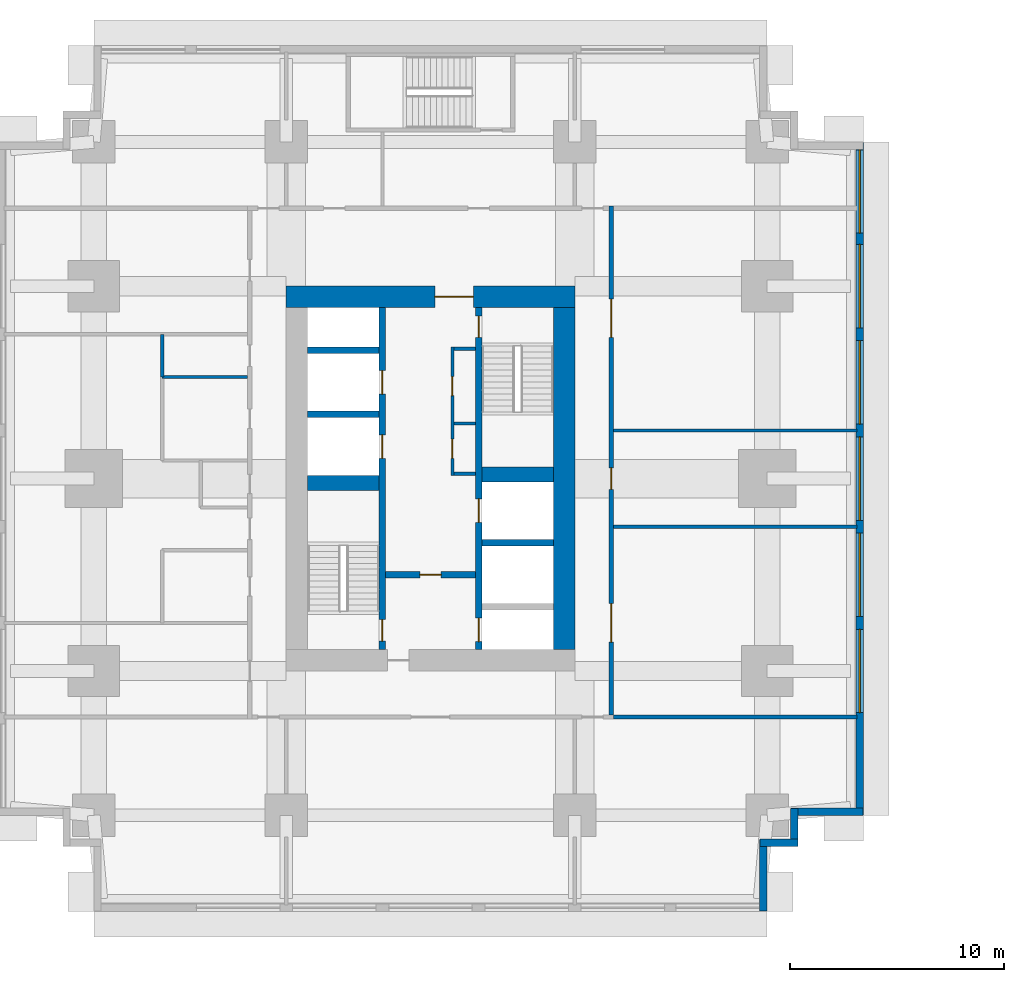
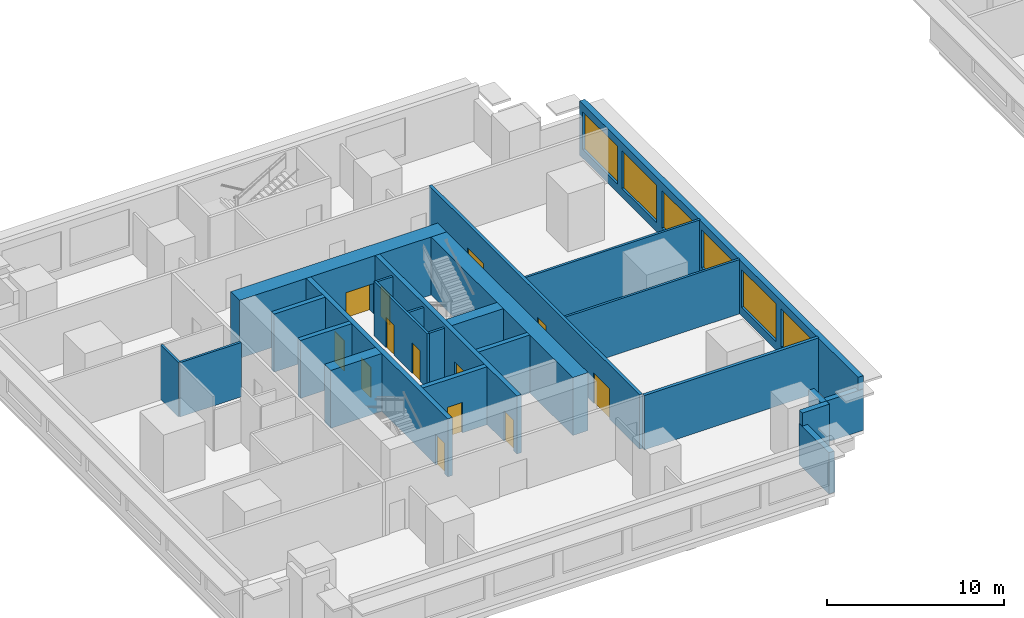
# One storey, part 4 of 11: 25 walls, 13 doors, 6 windows, 19 openings.
"""IFC4 building model written with IfcOpenShell, lengths in metres."""

from ifc_helpers import new_model, si_unit, direction, frame, frame_2d, origin, place, context, subcontext, project, spatial, rectangle, extrude, material, layer, layer_set, type_object, element, fill, save


model = new_model("IFC4")

# Units and contexts
model_context = context("Model", 3, precision=1e-05, world=origin(), true_north=direction((0.0, 1.0)))
body_context = subcontext(model_context, "Body", "Model", "MODEL_VIEW")
ifc_project = project(units=[si_unit("LENGTHUNIT", "METRE"), si_unit("AREAUNIT", "SQUARE_METRE"), si_unit("VOLUMEUNIT", "CUBIC_METRE"), si_unit("PLANEANGLEUNIT", "RADIAN"), si_unit("MASSUNIT", "GRAM", prefix="KILO")], contexts=[model_context])

# Site, building, storey
site_placement = place(None, origin())
site = spatial("IfcSite", under=ifc_project, at=site_placement, CompositionType="ELEMENT")
building_placement = place(site_placement, origin())
building = spatial("IfcBuilding", under=site, at=building_placement, Name="Namib Vertical Campus", CompositionType="ELEMENT")
storey_placement = place(building_placement, frame((0.0, 0.0, 49.0)))
storey = spatial("IfcBuildingStorey", under=building, at=storey_placement, Name="L11", CompositionType="ELEMENT", Elevation=49.0)

# Wall, openings, doors
ifc_material_1 = material(Name="Concrete C60/75", Category="concrete")
ifc_layer_1 = layer(ifc_material_1, 0.300048828125)
ifc_layer_set_1 = layer_set([ifc_layer_1], Name="Concrete C60/75")
wall_type_1 = type_object("IfcWallType", Name="Core inner wall 300", PredefinedType="SHEAR", material=ifc_layer_set_1)
wall_1_placement = place(storey_placement, frame((18.0, 12.25, 0.0), z_axis=(0.0, 0.0, 1.0), x_axis=(0.0, 1.0, 0.0)))
wall_1 = element("IfcWall", 1, at=wall_1_placement, inside=storey, type_object=wall_type_1, Name="Core inner wall A L11 W1", PredefinedType="SHEAR", context=body_context, shape_type="SweptSolid", body=[
    extrude(rectangle(XDim=16.0, YDim=0.300048828125, at=frame_2d((8.0, 0.0))), origin(), (0.0, 0.0, 1.0), 4.0),
])
opening_1_placement = place(wall_1_placement, frame((0.39990234375, 0.0, 0.0)))
opening_1 = element("IfcOpeningElement", 2, at=opening_1_placement, cuts=wall_1, Name="Opening FD1", PredefinedType="OPENING", context=body_context, shape_type="SweptSolid", body=[
    extrude(rectangle(XDim=1.0, YDim=2.10009765625, at=frame_2d((0.5, 1.050048828125))), frame((0.0, 0.159912109375, 0.0), z_axis=(0.0, -1.0, 0.0), x_axis=(1.0, 0.0, 0.0)), (0.0, 0.0, 1.0), 0.320068359375),
])
opening_2_placement = place(wall_1_placement, frame((8.949951171875, 0.0, 0.0)))
opening_2 = element("IfcOpeningElement", 3, at=opening_2_placement, cuts=wall_1, Name="Opening LD1", PredefinedType="OPENING", context=body_context, shape_type="SweptSolid", body=[
    extrude(rectangle(XDim=1.10009765625, YDim=2.10009765625, at=frame_2d((0.550048828125, 1.050048828125))), frame((0.0, 0.159912109375, 0.0), z_axis=(0.0, -1.0, 0.0), x_axis=(1.0, 0.0, 0.0)), (0.0, 0.0, 1.0), 0.320068359375),
])
opening_3_placement = place(wall_1_placement, frame((11.949951171875, 0.0, 0.0)))
opening_3 = element("IfcOpeningElement", 4, at=opening_3_placement, cuts=wall_1, Name="Opening LD1", PredefinedType="OPENING", context=body_context, shape_type="SweptSolid", body=[
    extrude(rectangle(XDim=1.10009765625, YDim=2.10009765625, at=frame_2d((0.550048828125, 1.050048828125))), frame((0.0, 0.159912109375, 0.0), z_axis=(0.0, -1.0, 0.0), x_axis=(1.0, 0.0, 0.0)), (0.0, 0.0, 1.0), 0.320068359375),
])
ifc_material_2 = material(Name="Steel fire door", Category="steel")
door_type_1 = type_object("IfcDoorType", Name="Fire door 1000x2100", OperationType="SINGLE_SWING_RIGHT", PredefinedType="DOOR", material=ifc_material_2)
door_1_placement = place(opening_1_placement, origin())
door_1 = element("IfcDoor", 5, at=door_1_placement, inside=storey, type_object=door_type_1, Name="Stair door FD1 A L11 S1", OperationType="SINGLE_SWING_LEFT", OverallHeight=2.10009765625, OverallWidth=1.0, PredefinedType="DOOR", context=body_context, shape_type="SweptSolid", body=[
    extrude(rectangle(XDim=1.0, YDim=2.10009765625, at=frame_2d((0.5, 1.050048828125))), frame((0.0, 0.02490234375, 0.0), z_axis=(0.0, -1.0, 0.0), x_axis=(1.0, 0.0, 0.0)), (0.0, 0.0, 1.0), 0.050048828125),
])
fill(opening_1, door_1)
ifc_material_3 = material(Name="Stainless steel lift door", Category="steel")
door_type_2 = type_object("IfcDoorType", Name="Lift landing door 1100x2100", OperationType="DOUBLE_DOOR_SLIDING", PredefinedType="DOOR", material=ifc_material_3)
door_2_placement = place(opening_2_placement, origin())
door_2 = element("IfcDoor", 6, at=door_2_placement, inside=storey, type_object=door_type_2, Name="Lift landing door LD1 A-P1 L11", OperationType="DOUBLE_DOOR_SLIDING", OverallHeight=2.10009765625, OverallWidth=1.10009765625, PredefinedType="DOOR", context=body_context, shape_type="SweptSolid", body=[
    extrude(rectangle(XDim=1.10009765625, YDim=2.10009765625, at=frame_2d((0.550048828125, 1.050048828125))), frame((0.0, 0.02490234375, 0.0), z_axis=(0.0, -1.0, 0.0), x_axis=(1.0, 0.0, 0.0)), (0.0, 0.0, 1.0), 0.050048828125),
])
fill(opening_2, door_2)
door_3_placement = place(opening_3_placement, origin())
door_3 = element("IfcDoor", 7, at=door_3_placement, inside=storey, type_object=door_type_2, Name="Lift landing door LD1 A-P2 L11", OperationType="DOUBLE_DOOR_SLIDING", OverallHeight=2.10009765625, OverallWidth=1.10009765625, PredefinedType="DOOR", context=body_context, shape_type="SweptSolid", body=[
    extrude(rectangle(XDim=1.10009765625, YDim=2.10009765625, at=frame_2d((0.550048828125, 1.050048828125))), frame((0.0, 0.02490234375, 0.0), z_axis=(0.0, -1.0, 0.0), x_axis=(1.0, 0.0, 0.0)), (0.0, 0.0, 1.0), 0.050048828125),
])
fill(opening_3, door_3)

wall_2_placement = place(storey_placement, frame((22.5, 12.25, 0.0), z_axis=(0.0, 0.0, 1.0), x_axis=(0.0, 1.0, 0.0)))
wall_2 = element("IfcWall", 8, at=wall_2_placement, inside=storey, type_object=wall_type_1, Name="Core inner wall A L11 W2", PredefinedType="SHEAR", context=body_context, shape_type="SweptSolid", body=[
    extrude(rectangle(XDim=16.0, YDim=0.300048828125, at=frame_2d((8.0, 0.0))), origin(), (0.0, 0.0, 1.0), 4.0),
])
opening_4_placement = place(wall_2_placement, frame((14.60009765625, 0.0, 0.0)))
opening_4 = element("IfcOpeningElement", 9, at=opening_4_placement, cuts=wall_2, Name="Opening FD1", PredefinedType="OPENING", context=body_context, shape_type="SweptSolid", body=[
    extrude(rectangle(XDim=1.0, YDim=2.10009765625, at=frame_2d((0.5, 1.050048828125))), frame((0.0, 0.159912109375, 0.0), z_axis=(0.0, -1.0, 0.0), x_axis=(1.0, 0.0, 0.0)), (0.0, 0.0, 1.0), 0.320068359375),
])
opening_5_placement = place(wall_2_placement, frame((0.375, 0.0, 0.0)))
opening_5 = element("IfcOpeningElement", 10, at=opening_5_placement, cuts=wall_2, Name="Opening LD1", PredefinedType="OPENING", context=body_context, shape_type="SweptSolid", body=[
    extrude(rectangle(XDim=1.10009765625, YDim=2.10009765625, at=frame_2d((0.550048828125, 1.050048828125))), frame((0.0, 0.159912109375, 0.0), z_axis=(0.0, -1.0, 0.0), x_axis=(1.0, 0.0, 0.0)), (0.0, 0.0, 1.0), 0.320068359375),
])
opening_6_placement = place(wall_2_placement, frame((5.949951171875, 0.0, 0.0)))
opening_6 = element("IfcOpeningElement", 11, at=opening_6_placement, cuts=wall_2, Name="Opening LD1", PredefinedType="OPENING", context=body_context, shape_type="SweptSolid", body=[
    extrude(rectangle(XDim=1.10009765625, YDim=2.10009765625, at=frame_2d((0.550048828125, 1.050048828125))), frame((0.0, 0.159912109375, 0.0), z_axis=(0.0, -1.0, 0.0), x_axis=(1.0, 0.0, 0.0)), (0.0, 0.0, 1.0), 0.320068359375),
])
door_4_placement = place(opening_4_placement, frame((1.0, 0.0, 0.0), z_axis=(0.0, 0.0, 1.0), x_axis=(-1.0, 0.0, 0.0)))
door_4 = element("IfcDoor", 12, at=door_4_placement, inside=storey, type_object=door_type_1, Name="Stair door FD1 A L11 S2", OperationType="SINGLE_SWING_LEFT", OverallHeight=2.10009765625, OverallWidth=1.0, PredefinedType="DOOR", context=body_context, shape_type="SweptSolid", body=[
    extrude(rectangle(XDim=1.0, YDim=2.10009765625, at=frame_2d((0.5, 1.050048828125))), frame((0.0, 0.02490234375, 0.0), z_axis=(0.0, -1.0, 0.0), x_axis=(1.0, 0.0, 0.0)), (0.0, 0.0, 1.0), 0.050048828125),
])
fill(opening_4, door_4)
door_5_placement = place(opening_5_placement, origin())
door_5 = element("IfcDoor", 13, at=door_5_placement, inside=storey, type_object=door_type_2, Name="Lift landing door LD1 A-FL1 L11", OperationType="DOUBLE_DOOR_SLIDING", OverallHeight=2.10009765625, OverallWidth=1.10009765625, PredefinedType="DOOR", context=body_context, shape_type="SweptSolid", body=[
    extrude(rectangle(XDim=1.10009765625, YDim=2.10009765625, at=frame_2d((0.550048828125, 1.050048828125))), frame((0.0, 0.02490234375, 0.0), z_axis=(0.0, -1.0, 0.0), x_axis=(1.0, 0.0, 0.0)), (0.0, 0.0, 1.0), 0.050048828125),
])
fill(opening_5, door_5)
door_6_placement = place(opening_6_placement, origin())
door_6 = element("IfcDoor", 14, at=door_6_placement, inside=storey, type_object=door_type_2, Name="Lift landing door LD1 A-P5 L11", OperationType="DOUBLE_DOOR_SLIDING", OverallHeight=2.10009765625, OverallWidth=1.10009765625, PredefinedType="DOOR", context=body_context, shape_type="SweptSolid", body=[
    extrude(rectangle(XDim=1.10009765625, YDim=2.10009765625, at=frame_2d((0.550048828125, 1.050048828125))), frame((0.0, 0.02490234375, 0.0), z_axis=(0.0, -1.0, 0.0), x_axis=(1.0, 0.0, 0.0)), (0.0, 0.0, 1.0), 0.050048828125),
])
fill(opening_6, door_6)

# Wall, opening, door
wall_3_placement = place(storey_placement, frame((18.14990234375, 15.75, 0.0), z_axis=(0.0, 0.0, 1.0), x_axis=(1.0, 0.0, 0.0)))
wall_3 = element("IfcWall", 15, at=wall_3_placement, inside=storey, type_object=wall_type_1, Name="Core inner wall A L11 W4", PredefinedType="SHEAR", context=body_context, shape_type="SweptSolid", body=[
    extrude(rectangle(XDim=4.2001953125, YDim=0.300048828125, at=frame_2d((2.10009765625, 0.0))), origin(), (0.0, 0.0, 1.0), 4.0),
])
opening_7_placement = place(wall_3_placement, frame((1.60009765625, 0.0, 0.0)))
opening_7 = element("IfcOpeningElement", 16, at=opening_7_placement, cuts=wall_3, Name="Opening FD5", PredefinedType="OPENING", context=body_context, shape_type="SweptSolid", body=[
    extrude(rectangle(XDim=1.0, YDim=2.10009765625, at=frame_2d((0.5, 1.050048828125))), frame((0.0, 0.159912109375, 0.0), z_axis=(0.0, -1.0, 0.0), x_axis=(1.0, 0.0, 0.0)), (0.0, 0.0, 1.0), 0.320068359375),
])
ifc_material_4 = material(Name="Steel fire door", Category="steel")
door_type_3 = type_object("IfcDoorType", Name="Fire door 1000x2100 120 min", OperationType="SINGLE_SWING_RIGHT", PredefinedType="DOOR", material=ifc_material_4)
door_7_placement = place(opening_7_placement, frame((1.0, 0.0, 0.0), z_axis=(0.0, 0.0, 1.0), x_axis=(-1.0, 0.0, 0.0)))
door_7 = element("IfcDoor", 17, at=door_7_placement, inside=storey, type_object=door_type_3, Name="Lobby door FD5 A L11", OperationType="SINGLE_SWING_RIGHT", OverallHeight=2.10009765625, OverallWidth=1.0, PredefinedType="DOOR", context=body_context, shape_type="SweptSolid", body=[
    extrude(rectangle(XDim=1.0, YDim=2.10009765625, at=frame_2d((0.5, 1.050048828125))), frame((0.0, 0.02490234375, 0.0), z_axis=(0.0, -1.0, 0.0), x_axis=(1.0, 0.0, 0.0)), (0.0, 0.0, 1.0), 0.050048828125),
])
fill(opening_7, door_7)

# Walls
for number, where, z_axis, x_axis, name in (
    (18, (22.64990234375, 17.25, 0.0), (0.0, 0.0, 1.0), (1.0, 0.0, 0.0), "Core inner wall A L11 W6"),
    (19, (14.5, 23.25, 0.0), (0.0, 0.0, 1.0), (1.0, 0.0, 0.0), "Core inner wall A L11 W8"),
    (20, (14.5, 26.25, 0.0), (0.0, 0.0, 1.0), (1.0, 0.0, 0.0), "Core inner wall A L11 W9"),
):
    element("IfcWall", number, at=place(storey_placement, frame(where, z_axis=z_axis, x_axis=x_axis)), inside=storey, type_object=wall_type_1, Name=name, PredefinedType="SHEAR", context=body_context, shape_type="SweptSolid", body=[
        extrude(rectangle(XDim=3.35009765625, YDim=0.300048828125, at=frame_2d((1.675048828125, 0.0))), origin(), (0.0, 0.0, 1.0), 4.0),
    ])
ifc_material_5 = material(Name="Concrete C60/75", Category="concrete")
ifc_layer_2 = layer(ifc_material_5, 0.699951171875)
ifc_layer_set_2 = layer_set([ifc_layer_2], Name="Concrete C60/75")
wall_type_2 = type_object("IfcWallType", Name="Core shear wall 700", PredefinedType="SHEAR", material=ifc_layer_set_2)
for number, where, z_axis, x_axis, name in (
    (21, (14.5, 20.050048828125, 0.0), (0.0, 0.0, 1.0), (1.0, 0.0, 0.0), "Core shear wall A L11 W3"),
    (22, (22.64990234375, 20.449951171875, 0.0), (0.0, 0.0, 1.0), (1.0, 0.0, 0.0), "Core shear wall A L11 W7"),
):
    element("IfcWall", number, at=place(storey_placement, frame(where, z_axis=z_axis, x_axis=x_axis)), inside=storey, type_object=wall_type_2, Name=name, PredefinedType="SHEAR", context=body_context, shape_type="SweptSolid", body=[
        extrude(rectangle(XDim=3.35009765625, YDim=0.699951171875, at=frame_2d((1.675048828125, 0.0))), origin(), (0.0, 0.0, 1.0), 4.0),
    ])
ifc_material_6 = material(Name="Concrete C60/75", Category="concrete")
ifc_layer_3 = layer(ifc_material_6, 1.0)
ifc_layer_set_3 = layer_set([ifc_layer_3], Name="Concrete C60/75")
wall_type_3 = type_object("IfcWallType", Name="Core wall 1000", PredefinedType="SHEAR", material=ifc_layer_set_3)
wall_4_placement = place(storey_placement, frame((26.5, 12.25, 0.0), z_axis=(0.0, 0.0, 1.0), x_axis=(0.0, 1.0, 0.0)))
element("IfcWall", 23, at=wall_4_placement, inside=storey, type_object=wall_type_3, Name="Core wall A L11 2", PredefinedType="SHEAR", context=body_context, shape_type="SweptSolid", body=[
    extrude(rectangle(XDim=16.0, YDim=1.0, at=frame_2d((8.0, 0.0))), origin(), (0.0, 0.0, 1.0), 4.0),
])

# Wall, opening, door
wall_5_placement = place(storey_placement, frame((27.0, 28.75, 0.0), z_axis=(0.0, 0.0, 1.0), x_axis=(-1.0, 0.0, 0.0)))
wall_5 = element("IfcWall", 24, at=wall_5_placement, inside=storey, type_object=wall_type_3, Name="Core wall A L11 3", PredefinedType="SHEAR", context=body_context, shape_type="SweptSolid", body=[
    extrude(rectangle(XDim=13.5, YDim=1.0, at=frame_2d((6.75, 0.0))), origin(), (0.0, 0.0, 1.0), 4.0),
])
opening_8_placement = place(wall_5_placement, frame((4.75, 0.0, 0.0)))
opening_8 = element("IfcOpeningElement", 25, at=opening_8_placement, cuts=wall_5, Name="Opening FD2", PredefinedType="OPENING", context=body_context, shape_type="SweptSolid", body=[
    extrude(rectangle(XDim=1.800048828125, YDim=2.10009765625, at=frame_2d((0.89990234375, 1.050048828125))), frame((0.0, 0.510009765625, 0.0), z_axis=(0.0, -1.0, 0.0), x_axis=(1.0, 0.0, 0.0)), (0.0, 0.0, 1.0), 1.02001953125),
])
ifc_material_7 = material(Name="Steel fire door", Category="steel")
door_type_4 = type_object("IfcDoorType", Name="Fire door double 1800x2100", OperationType="DOUBLE_DOOR_SINGLE_SWING", PredefinedType="DOOR", material=ifc_material_7)
door_8_placement = place(opening_8_placement, origin())
door_8 = element("IfcDoor", 26, at=door_8_placement, inside=storey, type_object=door_type_4, Name="Lift lobby door FD2 A L11", OperationType="DOUBLE_DOOR_SINGLE_SWING", OverallHeight=2.10009765625, OverallWidth=1.800048828125, PredefinedType="DOOR", context=body_context, shape_type="SweptSolid", body=[
    extrude(rectangle(XDim=1.800048828125, YDim=2.10009765625, at=frame_2d((0.89990234375, 1.050048828125))), frame((0.0, 0.02490234375, 0.0), z_axis=(0.0, -1.0, 0.0), x_axis=(1.0, 0.0, 0.0)), (0.0, 0.0, 1.0), 0.050048828125),
])
fill(opening_8, door_8)

# Wall, openings, doors
ifc_material_8 = material(Name="Concrete masonry", Category="masonry")
ifc_layer_4 = layer(ifc_material_8, 0.199951171875)
ifc_layer_set_4 = layer_set([ifc_layer_4], Name="Corridor wall 200")
wall_type_4 = type_object("IfcWallType", Name="Corridor wall 200", PredefinedType="SOLIDWALL", material=ifc_layer_set_4)
wall_6_placement = place(storey_placement, frame((28.699951171875, 9.199951171875, 0.0), z_axis=(0.0, 0.0, 1.0), x_axis=(0.0, 1.0, 0.0)))
wall_6 = element("IfcWall", 27, at=wall_6_placement, inside=storey, type_object=wall_type_4, Name="Corridor wall A L11 CE", PredefinedType="SOLIDWALL", context=body_context, shape_type="SweptSolid", body=[
    extrude(rectangle(XDim=23.800048828125, YDim=0.199951171875, at=frame_2d((11.89990234375, 0.0))), origin(), (0.0, 0.0, 1.0), 3.75),
])
opening_9_placement = place(wall_6_placement, frame((3.39990234375, 0.0, 0.0)))
opening_9 = element("IfcOpeningElement", 28, at=opening_9_placement, cuts=wall_6, Name="Opening CD2", PredefinedType="OPENING", context=body_context, shape_type="SweptSolid", body=[
    extrude(rectangle(XDim=1.800048828125, YDim=2.10009765625, at=frame_2d((0.89990234375, 1.050048828125))), frame((0.0, 0.10986328125, 0.0), z_axis=(0.0, -1.0, 0.0), x_axis=(1.0, 0.0, 0.0)), (0.0, 0.0, 1.0), 0.219970703125),
])
opening_10_placement = place(wall_6_placement, frame((10.550048828125, 0.0, 0.0)))
opening_10 = element("IfcOpeningElement", 29, at=opening_10_placement, cuts=wall_6, Name="Opening CD1", PredefinedType="OPENING", context=body_context, shape_type="SweptSolid", body=[
    extrude(rectangle(XDim=1.0, YDim=2.10009765625, at=frame_2d((0.5, 1.050048828125))), frame((0.0, 0.10986328125, 0.0), z_axis=(0.0, -1.0, 0.0), x_axis=(1.0, 0.0, 0.0)), (0.0, 0.0, 1.0), 0.219970703125),
])
opening_11_placement = place(wall_6_placement, frame((17.64990234375, 0.0, 0.0)))
opening_11 = element("IfcOpeningElement", 30, at=opening_11_placement, cuts=wall_6, Name="Opening CD2", PredefinedType="OPENING", context=body_context, shape_type="SweptSolid", body=[
    extrude(rectangle(XDim=1.800048828125, YDim=2.10009765625, at=frame_2d((0.89990234375, 1.050048828125))), frame((0.0, 0.10986328125, 0.0), z_axis=(0.0, -1.0, 0.0), x_axis=(1.0, 0.0, 0.0)), (0.0, 0.0, 1.0), 0.219970703125),
])
ifc_material_9 = material(Name="Timber fire door leaf", Category="wood")
door_type_5 = type_object("IfcDoorType", Name="Corridor door 1000x2100 20 min", OperationType="SINGLE_SWING_LEFT", PredefinedType="DOOR", material=ifc_material_9)
door_9_placement = place(opening_10_placement, frame((1.0, 0.0, 0.0), z_axis=(0.0, 0.0, 1.0), x_axis=(-1.0, 0.0, 0.0)))
door_9 = element("IfcDoor", 31, at=door_9_placement, inside=storey, type_object=door_type_5, Name="Door CD1 A11-05", OperationType="SINGLE_SWING_RIGHT", OverallHeight=2.10009765625, OverallWidth=1.0, PredefinedType="DOOR", context=body_context, shape_type="SweptSolid", body=[
    extrude(rectangle(XDim=1.0, YDim=2.10009765625, at=frame_2d((0.5, 1.050048828125))), frame((0.0, 0.02490234375, 0.0), z_axis=(0.0, -1.0, 0.0), x_axis=(1.0, 0.0, 0.0)), (0.0, 0.0, 1.0), 0.050048828125),
])
fill(opening_10, door_9)
ifc_material_10 = material(Name="Timber fire door leaf", Category="wood")
door_type_6 = type_object("IfcDoorType", Name="Corridor door double 1800x2100 20 min", OperationType="DOUBLE_DOOR_SINGLE_SWING", PredefinedType="DOOR", material=ifc_material_10)
door_10_placement = place(opening_9_placement, frame((1.800048828125, 0.0, 0.0), z_axis=(0.0, 0.0, 1.0), x_axis=(-1.0, 0.0, 0.0)))
door_10 = element("IfcDoor", 32, at=door_10_placement, inside=storey, type_object=door_type_6, Name="Door CD2 A11-04", OperationType="DOUBLE_DOOR_SINGLE_SWING", OverallHeight=2.10009765625, OverallWidth=1.800048828125, PredefinedType="DOOR", context=body_context, shape_type="SweptSolid", body=[
    extrude(rectangle(XDim=1.800048828125, YDim=2.10009765625, at=frame_2d((0.89990234375, 1.050048828125))), frame((0.0, 0.02490234375, 0.0), z_axis=(0.0, -1.0, 0.0), x_axis=(1.0, 0.0, 0.0)), (0.0, 0.0, 1.0), 0.050048828125),
])
fill(opening_9, door_10)
door_11_placement = place(opening_11_placement, frame((1.800048828125, 0.0, 0.0), z_axis=(0.0, 0.0, 1.0), x_axis=(-1.0, 0.0, 0.0)))
door_11 = element("IfcDoor", 33, at=door_11_placement, inside=storey, type_object=door_type_6, Name="Door CD2 A11-06", OperationType="DOUBLE_DOOR_SINGLE_SWING", OverallHeight=2.10009765625, OverallWidth=1.800048828125, PredefinedType="DOOR", context=body_context, shape_type="SweptSolid", body=[
    extrude(rectangle(XDim=1.800048828125, YDim=2.10009765625, at=frame_2d((0.89990234375, 1.050048828125))), frame((0.0, 0.02490234375, 0.0), z_axis=(0.0, -1.0, 0.0), x_axis=(1.0, 0.0, 0.0)), (0.0, 0.0, 1.0), 0.050048828125),
])
fill(opening_11, door_11)

# Walls
wall_7_placement = place(storey_placement, frame((28.800048828125, 9.10009765625, 0.0), z_axis=(0.0, 0.0, 1.0), x_axis=(1.0, 0.0, 0.0)))
element("IfcWall", 34, at=wall_7_placement, inside=storey, type_object=wall_type_4, Name="Partition A L11 BSE", PredefinedType="SOLIDWALL", context=body_context, shape_type="SweptSolid", body=[
    extrude(rectangle(XDim=11.39990234375, YDim=0.199951171875, at=frame_2d((5.699951171875, 0.0))), origin(), (0.0, 0.0, 1.0), 3.75),
])
ifc_material_11 = material(Name="Concrete C40/50", Category="concrete")
ifc_layer_5 = layer(ifc_material_11, 0.35009765625)
ifc_layer_set_5 = layer_set([ifc_layer_5], Name="Concrete C40/50")
wall_type_5 = type_object("IfcWallType", Name="External wall 350 bush-hammered concrete", PredefinedType="STANDARD", material=ifc_layer_set_5)
wall_8_placement = place(storey_placement, frame((35.824951171875, 0.02001953125, 0.0), z_axis=(0.0, 0.0, 1.0), x_axis=(0.0, 1.0, 0.0)))
element("IfcWall", 35, at=wall_8_placement, inside=storey, type_object=wall_type_5, Name="External wall L11 F02", PredefinedType="STANDARD", context=body_context, shape_type="SweptSolid", body=[
    extrude(rectangle(XDim=3.35986328125, YDim=0.35009765625, at=frame_2d((1.679931640625, 0.0))), origin(), (0.0, 0.0, 1.0), 2.85009765625),
])
for number, where, z_axis, x_axis, name in (
    (36, (35.669921875, 3.22509765625, 0.0), (0.0, 0.0, 1.0), (1.0, 0.0, 0.0), "External wall L11 F03"),
    (37, (37.27490234375, 3.070068359375, 0.0), (0.0, 0.0, 1.0), (0.0, 1.0, 0.0), "External wall L11 F04"),
):
    element("IfcWall", number, at=place(storey_placement, frame(where, z_axis=z_axis, x_axis=x_axis)), inside=storey, type_object=wall_type_5, Name=name, PredefinedType="STANDARD", context=body_context, shape_type="SweptSolid", body=[
        extrude(rectangle(XDim=1.760009765625, YDim=0.35009765625, at=frame_2d((0.8798828125, 0.0))), origin(), (0.0, 0.0, 1.0), 3.75),
    ])
wall_9_placement = place(storey_placement, frame((37.1201171875, 4.675048828125, 0.0), z_axis=(0.0, 0.0, 1.0), x_axis=(1.0, 0.0, 0.0)))
element("IfcWall", 38, at=wall_9_placement, inside=storey, type_object=wall_type_5, Name="External wall L11 F05", PredefinedType="STANDARD", context=body_context, shape_type="SweptSolid", body=[
    extrude(rectangle(XDim=3.35986328125, YDim=0.35009765625, at=frame_2d((1.679931640625, 0.0))), origin(), (0.0, 0.0, 1.0), 2.85009765625),
])

# Wall, openings, windows
wall_10_placement = place(storey_placement, frame((40.324951171875, 4.52001953125, 0.0), z_axis=(0.0, 0.0, 1.0), x_axis=(0.0, 1.0, 0.0)))
wall_10 = element("IfcWall", 39, at=wall_10_placement, inside=storey, type_object=wall_type_5, Name="External wall L11 F06", PredefinedType="STANDARD", context=body_context, shape_type="SweptSolid", body=[
    extrude(rectangle(XDim=31.4599609375, YDim=0.35009765625, at=frame_2d((15.72998046875, 0.0))), origin(), (0.0, 0.0, 1.0), 3.75),
])
opening_12_placement = place(wall_10_placement, frame((4.780029296875, 0.0, 0.60009765625)))
opening_12 = element("IfcOpeningElement", 40, at=opening_12_placement, cuts=wall_10, Name="Opening W2", PredefinedType="OPENING", context=body_context, shape_type="SweptSolid", body=[
    extrude(rectangle(XDim=3.89990234375, YDim=2.60009765625, at=frame_2d((1.949951171875, 1.300048828125))), frame((0.0, 0.18505859375, 0.0), z_axis=(0.0, -1.0, 0.0), x_axis=(1.0, 0.0, 0.0)), (0.0, 0.0, 1.0), 0.3701171875),
])
opening_13_placement = place(wall_10_placement, frame((9.280029296875, 0.0, 0.60009765625)))
opening_13 = element("IfcOpeningElement", 41, at=opening_13_placement, cuts=wall_10, Name="Opening W2", PredefinedType="OPENING", context=body_context, shape_type="SweptSolid", body=[
    extrude(rectangle(XDim=3.89990234375, YDim=2.60009765625, at=frame_2d((1.949951171875, 1.300048828125))), frame((0.0, 0.18505859375, 0.0), z_axis=(0.0, -1.0, 0.0), x_axis=(1.0, 0.0, 0.0)), (0.0, 0.0, 1.0), 0.3701171875),
])
opening_14_placement = place(wall_10_placement, frame((13.780029296875, 0.0, 0.60009765625)))
opening_14 = element("IfcOpeningElement", 42, at=opening_14_placement, cuts=wall_10, Name="Opening W2", PredefinedType="OPENING", context=body_context, shape_type="SweptSolid", body=[
    extrude(rectangle(XDim=3.89990234375, YDim=2.60009765625, at=frame_2d((1.949951171875, 1.300048828125))), frame((0.0, 0.18505859375, 0.0), z_axis=(0.0, -1.0, 0.0), x_axis=(1.0, 0.0, 0.0)), (0.0, 0.0, 1.0), 0.3701171875),
])
opening_15_placement = place(wall_10_placement, frame((18.280029296875, 0.0, 0.60009765625)))
opening_15 = element("IfcOpeningElement", 43, at=opening_15_placement, cuts=wall_10, Name="Opening W2", PredefinedType="OPENING", context=body_context, shape_type="SweptSolid", body=[
    extrude(rectangle(XDim=3.89990234375, YDim=2.60009765625, at=frame_2d((1.949951171875, 1.300048828125))), frame((0.0, 0.18505859375, 0.0), z_axis=(0.0, -1.0, 0.0), x_axis=(1.0, 0.0, 0.0)), (0.0, 0.0, 1.0), 0.3701171875),
])
opening_16_placement = place(wall_10_placement, frame((22.780029296875, 0.0, 0.60009765625)))
opening_16 = element("IfcOpeningElement", 44, at=opening_16_placement, cuts=wall_10, Name="Opening W2", PredefinedType="OPENING", context=body_context, shape_type="SweptSolid", body=[
    extrude(rectangle(XDim=3.89990234375, YDim=2.60009765625, at=frame_2d((1.949951171875, 1.300048828125))), frame((0.0, 0.18505859375, 0.0), z_axis=(0.0, -1.0, 0.0), x_axis=(1.0, 0.0, 0.0)), (0.0, 0.0, 1.0), 0.3701171875),
])
opening_17_placement = place(wall_10_placement, frame((27.2099609375, 0.0, 0.60009765625)))
opening_17 = element("IfcOpeningElement", 45, at=opening_17_placement, cuts=wall_10, Name="Opening W2", PredefinedType="OPENING", context=body_context, shape_type="SweptSolid", body=[
    extrude(rectangle(XDim=3.89990234375, YDim=2.60009765625, at=frame_2d((1.949951171875, 1.300048828125))), frame((0.0, 0.18505859375, 0.0), z_axis=(0.0, -1.0, 0.0), x_axis=(1.0, 0.0, 0.0)), (0.0, 0.0, 1.0), 0.3701171875),
])
ifc_material_12 = material(Name="Dark tinted glass in black aluminium frame", Category="aluminium")
window_type = type_object("IfcWindowType", Name="Ribbon window 3900x2600", PartitioningType="SINGLE_PANEL", PredefinedType="WINDOW", material=ifc_material_12)
window_1_placement = place(opening_12_placement, origin())
window_1 = element("IfcWindow", 46, at=window_1_placement, inside=storey, type_object=window_type, Name="Window W2 L11 F06-2", OverallHeight=2.60009765625, OverallWidth=3.89990234375, PartitioningType="SINGLE_PANEL", PredefinedType="WINDOW", context=body_context, shape_type="SweptSolid", body=[
    extrude(rectangle(XDim=3.89990234375, YDim=2.60009765625, at=frame_2d((1.949951171875, 1.300048828125))), frame((0.0, 0.030029296875, 0.0), z_axis=(0.0, -1.0, 0.0), x_axis=(1.0, 0.0, 0.0)), (0.0, 0.0, 1.0), 0.06005859375),
])
fill(opening_12, window_1)
window_2_placement = place(opening_13_placement, origin())
window_2 = element("IfcWindow", 47, at=window_2_placement, inside=storey, type_object=window_type, Name="Window W2 L11 F06-3", OverallHeight=2.60009765625, OverallWidth=3.89990234375, PartitioningType="SINGLE_PANEL", PredefinedType="WINDOW", context=body_context, shape_type="SweptSolid", body=[
    extrude(rectangle(XDim=3.89990234375, YDim=2.60009765625, at=frame_2d((1.949951171875, 1.300048828125))), frame((0.0, 0.030029296875, 0.0), z_axis=(0.0, -1.0, 0.0), x_axis=(1.0, 0.0, 0.0)), (0.0, 0.0, 1.0), 0.06005859375),
])
fill(opening_13, window_2)
window_3_placement = place(opening_14_placement, origin())
window_3 = element("IfcWindow", 48, at=window_3_placement, inside=storey, type_object=window_type, Name="Window W2 L11 F06-4", OverallHeight=2.60009765625, OverallWidth=3.89990234375, PartitioningType="SINGLE_PANEL", PredefinedType="WINDOW", context=body_context, shape_type="SweptSolid", body=[
    extrude(rectangle(XDim=3.89990234375, YDim=2.60009765625, at=frame_2d((1.949951171875, 1.300048828125))), frame((0.0, 0.030029296875, 0.0), z_axis=(0.0, -1.0, 0.0), x_axis=(1.0, 0.0, 0.0)), (0.0, 0.0, 1.0), 0.06005859375),
])
fill(opening_14, window_3)
window_4_placement = place(opening_15_placement, origin())
window_4 = element("IfcWindow", 49, at=window_4_placement, inside=storey, type_object=window_type, Name="Window W2 L11 F06-5", OverallHeight=2.60009765625, OverallWidth=3.89990234375, PartitioningType="SINGLE_PANEL", PredefinedType="WINDOW", context=body_context, shape_type="SweptSolid", body=[
    extrude(rectangle(XDim=3.89990234375, YDim=2.60009765625, at=frame_2d((1.949951171875, 1.300048828125))), frame((0.0, 0.030029296875, 0.0), z_axis=(0.0, -1.0, 0.0), x_axis=(1.0, 0.0, 0.0)), (0.0, 0.0, 1.0), 0.06005859375),
])
fill(opening_15, window_4)
window_5_placement = place(opening_16_placement, origin())
window_5 = element("IfcWindow", 50, at=window_5_placement, inside=storey, type_object=window_type, Name="Window W2 L11 F06-6", OverallHeight=2.60009765625, OverallWidth=3.89990234375, PartitioningType="SINGLE_PANEL", PredefinedType="WINDOW", context=body_context, shape_type="SweptSolid", body=[
    extrude(rectangle(XDim=3.89990234375, YDim=2.60009765625, at=frame_2d((1.949951171875, 1.300048828125))), frame((0.0, 0.030029296875, 0.0), z_axis=(0.0, -1.0, 0.0), x_axis=(1.0, 0.0, 0.0)), (0.0, 0.0, 1.0), 0.06005859375),
])
fill(opening_16, window_5)
window_6_placement = place(opening_17_placement, origin())
window_6 = element("IfcWindow", 51, at=window_6_placement, inside=storey, type_object=window_type, Name="Window W2 L11 F06-7", OverallHeight=2.60009765625, OverallWidth=3.89990234375, PartitioningType="SINGLE_PANEL", PredefinedType="WINDOW", context=body_context, shape_type="SweptSolid", body=[
    extrude(rectangle(XDim=3.89990234375, YDim=2.60009765625, at=frame_2d((1.949951171875, 1.300048828125))), frame((0.0, 0.030029296875, 0.0), z_axis=(0.0, -1.0, 0.0), x_axis=(1.0, 0.0, 0.0)), (0.0, 0.0, 1.0), 0.06005859375),
])
fill(opening_17, window_6)

# Wall, openings, doors
ifc_material_13 = material(Name="Gypsum board on steel studs", Category="steel")
ifc_layer_6 = layer(ifc_material_13, 0.14990234375)
ifc_layer_set_6 = layer_set([ifc_layer_6], Name="Gypsum board on steel studs")
wall_type_6 = type_object("IfcWallType", Name="Partition 150", PredefinedType="PARTITIONING", material=ifc_layer_set_6)
wall_11_placement = place(storey_placement, frame((21.27490234375, 20.39990234375, 0.0), z_axis=(0.0, 0.0, 1.0), x_axis=(0.0, 1.0, 0.0)))
wall_11 = element("IfcWall", 52, at=wall_11_placement, inside=storey, type_object=wall_type_6, Name="Partition A L11 Cleaners' store and Tea point front", PredefinedType="PARTITIONING", context=body_context, shape_type="SweptSolid", body=[
    extrude(rectangle(XDim=6.0, YDim=0.14990234375, at=frame_2d((3.0, 0.0))), origin(), (0.0, 0.0, 1.0), 3.75),
])
opening_18_placement = place(wall_11_placement, frame((0.800048828125, 0.0, 0.0)))
opening_18 = element("IfcOpeningElement", 53, at=opening_18_placement, cuts=wall_11, Name="Opening D3", PredefinedType="OPENING", context=body_context, shape_type="SweptSolid", body=[
    extrude(rectangle(XDim=0.89990234375, YDim=2.10009765625, at=frame_2d((0.449951171875, 1.050048828125))), frame((0.0, 0.0849609375, 0.0), z_axis=(0.0, -1.0, 0.0), x_axis=(1.0, 0.0, 0.0)), (0.0, 0.0, 1.0), 0.169921875),
])
opening_19_placement = place(wall_11_placement, frame((3.72509765625, 0.0, 0.0)))
opening_19 = element("IfcOpeningElement", 54, at=opening_19_placement, cuts=wall_11, Name="Opening D3", PredefinedType="OPENING", context=body_context, shape_type="SweptSolid", body=[
    extrude(rectangle(XDim=0.89990234375, YDim=2.10009765625, at=frame_2d((0.449951171875, 1.050048828125))), frame((0.0, 0.0849609375, 0.0), z_axis=(0.0, -1.0, 0.0), x_axis=(1.0, 0.0, 0.0)), (0.0, 0.0, 1.0), 0.169921875),
])
ifc_material_14 = material(Name="Timber door leaf", Category="wood")
door_type_7 = type_object("IfcDoorType", Name="Toilet door 900x2100", OperationType="SINGLE_SWING_LEFT", PredefinedType="DOOR", material=ifc_material_14)
door_12_placement = place(opening_18_placement, frame((0.89990234375, 0.0, 0.0), z_axis=(0.0, 0.0, 1.0), x_axis=(-1.0, 0.0, 0.0)))
door_12 = element("IfcDoor", 55, at=door_12_placement, inside=storey, type_object=door_type_7, Name="Door D3 Cleaners' store A L11", OperationType="SINGLE_SWING_RIGHT", OverallHeight=2.10009765625, OverallWidth=0.89990234375, PredefinedType="DOOR", context=body_context, shape_type="SweptSolid", body=[
    extrude(rectangle(XDim=0.89990234375, YDim=2.10009765625, at=frame_2d((0.449951171875, 1.050048828125))), frame((0.0, 0.02490234375, 0.0), z_axis=(0.0, -1.0, 0.0), x_axis=(1.0, 0.0, 0.0)), (0.0, 0.0, 1.0), 0.050048828125),
])
fill(opening_18, door_12)
door_13_placement = place(opening_19_placement, frame((0.89990234375, 0.0, 0.0), z_axis=(0.0, 0.0, 1.0), x_axis=(-1.0, 0.0, 0.0)))
door_13 = element("IfcDoor", 56, at=door_13_placement, inside=storey, type_object=door_type_7, Name="Door D3 Tea point A L11", OperationType="SINGLE_SWING_RIGHT", OverallHeight=2.10009765625, OverallWidth=0.89990234375, PredefinedType="DOOR", context=body_context, shape_type="SweptSolid", body=[
    extrude(rectangle(XDim=0.89990234375, YDim=2.10009765625, at=frame_2d((0.449951171875, 1.050048828125))), frame((0.0, 0.02490234375, 0.0), z_axis=(0.0, -1.0, 0.0), x_axis=(1.0, 0.0, 0.0)), (0.0, 0.0, 1.0), 0.050048828125),
])
fill(opening_19, door_13)

# Walls
for number, where, z_axis, x_axis, name in (
    (57, (21.35009765625, 20.47509765625, 0.0), (0.0, 0.0, 1.0), (1.0, 0.0, 0.0), "Partition A L11 Cleaners' store and Tea point end 1"),
    (58, (21.35009765625, 22.824951171875, 0.0), (0.0, 0.0, 1.0), (1.0, 0.0, 0.0), "Partition A L11 Cleaners' store and Tea point division 2"),
    (59, (21.35009765625, 26.324951171875, 0.0), (0.0, 0.0, 1.0), (1.0, 0.0, 0.0), "Partition A L11 Cleaners' store and Tea point end 3"),
):
    element("IfcWall", number, at=place(storey_placement, frame(where, z_axis=z_axis, x_axis=x_axis)), inside=storey, type_object=wall_type_6, Name=name, PredefinedType="PARTITIONING", context=body_context, shape_type="SweptSolid", body=[
        extrude(rectangle(XDim=1.0, YDim=0.14990234375, at=frame_2d((0.5, 0.0))), origin(), (0.0, 0.0, 1.0), 3.75),
    ])
for number, where, z_axis, x_axis, name in (
    (60, (28.800048828125, 18.0, 0.0), (0.0, 0.0, 1.0), (1.0, 0.0, 0.0), "Partition A L11 PE1"),
    (61, (28.800048828125, 22.5, 0.0), (0.0, 0.0, 1.0), (1.0, 0.0, 0.0), "Partition A L11 PE2"),
):
    element("IfcWall", number, at=place(storey_placement, frame(where, z_axis=z_axis, x_axis=x_axis)), inside=storey, type_object=wall_type_6, Name=name, PredefinedType="PARTITIONING", context=body_context, shape_type="SweptSolid", body=[
        extrude(rectangle(XDim=11.39990234375, YDim=0.14990234375, at=frame_2d((5.699951171875, 0.0))), origin(), (0.0, 0.0, 1.0), 3.75),
    ])
wall_12_placement = place(storey_placement, frame((11.699951171875, 25.0, 0.0), z_axis=(0.0, 0.0, 1.0), x_axis=(-1.0, 0.0, 0.0)))
element("IfcWall", 62, at=wall_12_placement, inside=storey, type_object=wall_type_6, Name="Partition A L11 WR4", PredefinedType="PARTITIONING", context=body_context, shape_type="SweptSolid", body=[
    extrude(rectangle(XDim=4.0, YDim=0.14990234375, at=frame_2d((2.0, 0.0))), origin(), (0.0, 0.0, 1.0), 3.75),
])
wall_13_placement = place(storey_placement, frame((7.699951171875, 25.0, 0.0), z_axis=(0.0, 0.0, 1.0), x_axis=(0.0, 1.0, 0.0)))
element("IfcWall", 63, at=wall_13_placement, inside=storey, type_object=wall_type_6, Name="Partition A L11 WB4", PredefinedType="PARTITIONING", context=body_context, shape_type="SweptSolid", body=[
    extrude(rectangle(XDim=2.0, YDim=0.14990234375, at=frame_2d((1.0, 0.0))), origin(), (0.0, 0.0, 1.0), 3.75),
])

save(model, "model.ifc")
